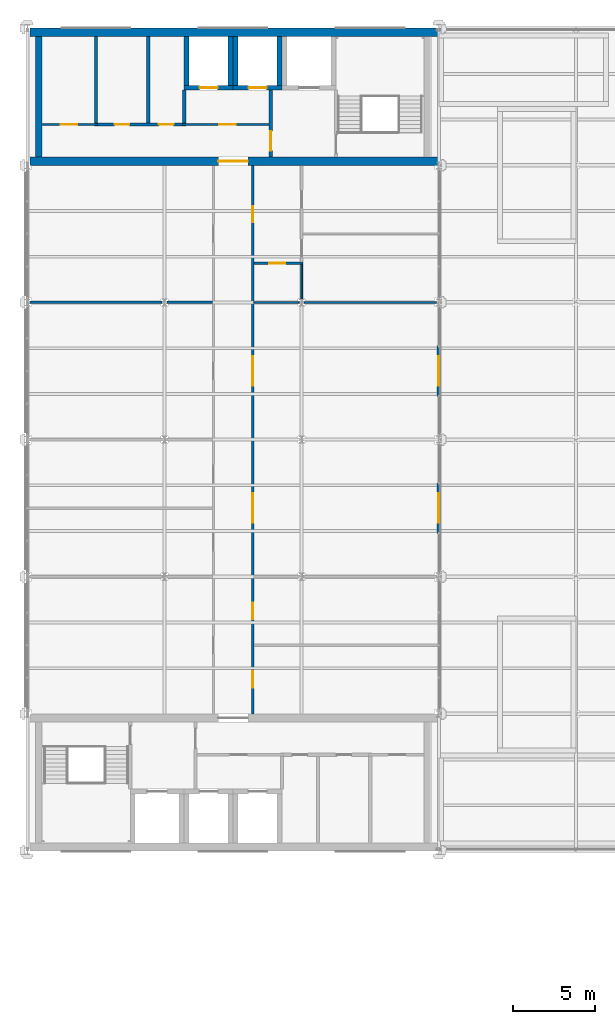
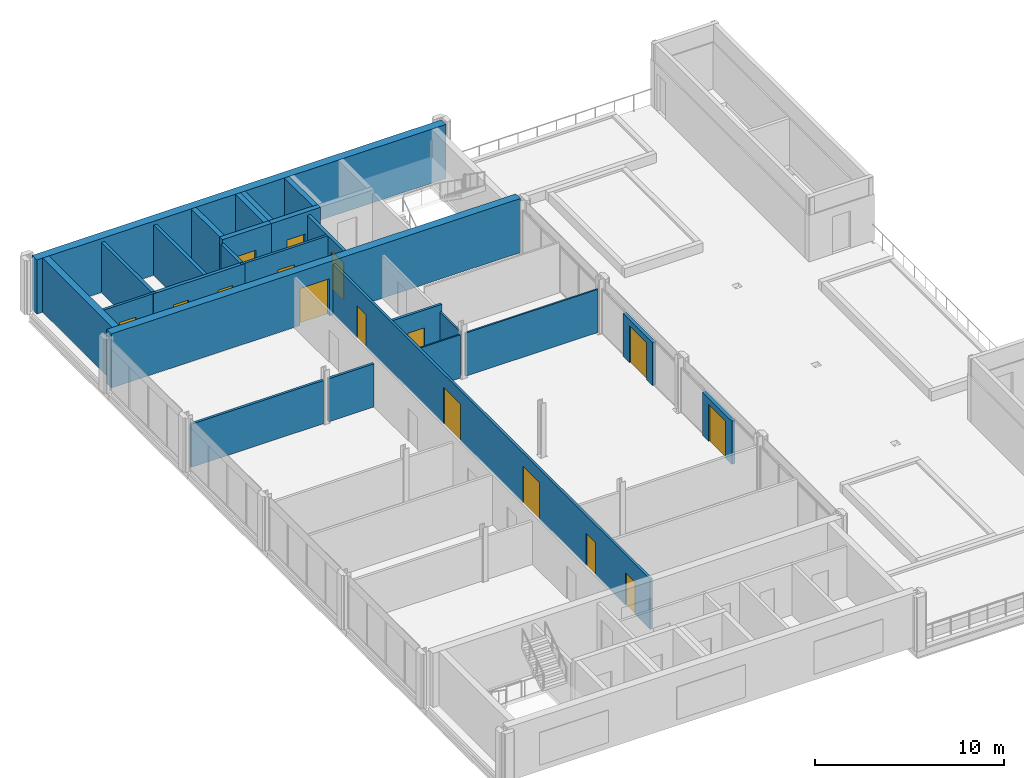
# One storey, part 25 of 32: 25 walls, 16 doors, 16 openings.
"""IFC4 building model written with IfcOpenShell, lengths in metres."""

from ifc_helpers import new_model, si_unit, direction, frame, frame_2d, origin, place, context, subcontext, project, spatial, rectangle, extrude, material, layer, layer_set, type_object, element, fill, save


model = new_model("IFC4")

# Units and contexts
model_context = context("Model", 3, precision=1e-05, world=origin(), true_north=direction((0.0, 1.0)))
body_context = subcontext(model_context, "Body", "Model", "MODEL_VIEW")
ifc_project = project(units=[si_unit("LENGTHUNIT", "METRE"), si_unit("AREAUNIT", "SQUARE_METRE"), si_unit("VOLUMEUNIT", "CUBIC_METRE"), si_unit("PLANEANGLEUNIT", "RADIAN"), si_unit("MASSUNIT", "GRAM", prefix="KILO")], contexts=[model_context])

# Site, building, storey
site_placement = place(None, origin())
site = spatial("IfcSite", under=ifc_project, at=site_placement, CompositionType="ELEMENT")
building_placement = place(site_placement, origin())
building = spatial("IfcBuilding", under=site, at=building_placement, Name="Catenary Quay Ferry Terminal", CompositionType="ELEMENT")
storey_placement = place(building_placement, frame((0.0, 0.0, 17.10009765625)))
storey = spatial("IfcBuildingStorey", under=building, at=storey_placement, Name="L03", CompositionType="ELEMENT", Elevation=17.10009765625)

# Wall
ifc_material_1 = material(Name="Concrete C50/60", Category="concrete")
ifc_layer_1 = layer(ifc_material_1, 0.39990234375)
ifc_layer_set_1 = layer_set([ifc_layer_1], Name="Core wall 400")
wall_type_1 = type_object("IfcWallType", Name="Core wall 400", PredefinedType="SHEAR", material=ifc_layer_set_1)
wall_1_placement = place(storey_placement, frame((25.89990234375, 202.10009765625, 0.0), z_axis=(0.0, 0.0, 1.0), x_axis=(0.0, 1.0, 0.0)))
element("IfcWall", 1, at=wall_1_placement, inside=storey, type_object=wall_type_1, Name="Core wall N3", PredefinedType="SHEAR", context=body_context, shape_type="SweptSolid", body=[
    extrude(rectangle(XDim=7.39990234375, YDim=0.39990234375, at=frame_2d((3.699951171875, 0.0))), origin(), (0.0, 0.0, 1.0), 3.5),
])

# Wall, opening, door
ifc_material_2 = material(Name="Concrete C50/60", Category="concrete")
ifc_layer_2 = layer(ifc_material_2, 0.5)
ifc_layer_set_2 = layer_set([ifc_layer_2], Name="Core wall 500")
wall_type_2 = type_object("IfcWallType", Name="Core wall 500", PredefinedType="SHEAR", material=ifc_layer_set_2)
wall_2_placement = place(storey_placement, frame((25.35009765625, 201.85009765625, 0.0), z_axis=(0.0, 0.0, 1.0), x_axis=(1.0, 0.0, 0.0)))
wall_2 = element("IfcWall", 2, at=wall_2_placement, inside=storey, type_object=wall_type_2, Name="Core wall N1", PredefinedType="SHEAR", context=body_context, shape_type="SweptSolid", body=[
    extrude(rectangle(XDim=25.04296875, YDim=0.5, at=frame_2d((12.521484375, 0.0))), origin(), (0.0, 0.0, 1.0), 3.5),
])
opening_1_placement = place(wall_2_placement, frame((11.550048828125, 0.0, 0.0)))
opening_1 = element("IfcOpeningElement", 3, at=opening_1_placement, cuts=wall_2, Name="Opening D203", PredefinedType="OPENING", context=body_context, shape_type="SweptSolid", body=[
    extrude(rectangle(XDim=1.800048828125, YDim=2.39990234375, at=frame_2d((0.89990234375, 1.199951171875))), frame((0.0, 0.260009765625, 0.0), z_axis=(0.0, -1.0, 0.0), x_axis=(1.0, 0.0, 0.0)), (0.0, 0.0, 1.0), 0.52001953125),
])
ifc_material_3 = material(Name="Steel and glass", Category="steel")
door_type_1 = type_object("IfcDoorType", Name="DI3", OperationType="DOUBLE_DOOR_SINGLE_SWING", PredefinedType="DOOR", material=ifc_material_3)
door_1_placement = place(opening_1_placement, origin())
door_1 = element("IfcDoor", 4, at=door_1_placement, inside=storey, type_object=door_type_1, Name="Operations Corridor to Core Corridor N", OperationType="DOUBLE_DOOR_SINGLE_SWING", OverallHeight=2.39990234375, OverallWidth=1.800048828125, PredefinedType="DOOR", context=body_context, shape_type="SweptSolid", body=[
    extrude(rectangle(XDim=1.800048828125, YDim=2.39990234375, at=frame_2d((0.89990234375, 1.199951171875))), frame((0.0, 0.02490234375, 0.0), z_axis=(0.0, -1.0, 0.0), x_axis=(1.0, 0.0, 0.0)), (0.0, 0.0, 1.0), 0.050048828125),
])
fill(opening_1, door_1)

# Wall
wall_3_placement = place(storey_placement, frame((25.35009765625, 209.75, 0.0), z_axis=(0.0, 0.0, 1.0), x_axis=(1.0, 0.0, 0.0)))
element("IfcWall", 5, at=wall_3_placement, inside=storey, type_object=wall_type_2, Name="Core wall N2", PredefinedType="SHEAR", context=body_context, shape_type="SweptSolid", body=[
    extrude(rectangle(XDim=25.04296875, YDim=0.5, at=frame_2d((12.521484375, 0.0))), origin(), (0.0, 0.0, 1.0), 3.5),
])

# Wall, opening, door
ifc_material_4 = material(Name="Masonry and insulation", Category="masonry")
ifc_layer_3 = layer(ifc_material_4, 0.199951171875)
ifc_layer_set_3 = layer_set([ifc_layer_3], Name="EW6")
wall_type_3 = type_object("IfcWallType", Name="EW6", PredefinedType="SOLIDWALL", material=ifc_layer_set_3)
wall_4_placement = place(storey_placement, frame((50.39990234375, 179.044921875, 0.0), z_axis=(0.0, 0.0, 1.0), x_axis=(0.0, 1.0, 0.0)))
wall_4 = element("IfcWall", 6, at=wall_4_placement, inside=storey, type_object=wall_type_3, Name="Front wing wall WL67", PredefinedType="SOLIDWALL", context=body_context, shape_type="SweptSolid", body=[
    extrude(rectangle(XDim=3.110107421875, YDim=0.199951171875, at=frame_2d((1.55517578125, 0.0))), origin(), (0.0, 0.0, 1.0), 2.796142578125),
])
opening_2_placement = place(wall_4_placement, frame((0.655029296875, 0.0, 0.0)))
opening_2 = element("IfcOpeningElement", 7, at=opening_2_placement, cuts=wall_4, Name="Opening D25", PredefinedType="OPENING", context=body_context, shape_type="SweptSolid", body=[
    extrude(rectangle(XDim=1.800048828125, YDim=2.39990234375, at=frame_2d((0.89990234375, 1.199951171875))), frame((0.0, 0.10986328125, 0.0), z_axis=(0.0, -1.0, 0.0), x_axis=(1.0, 0.0, 0.0)), (0.0, 0.0, 1.0), 0.219970703125),
])
ifc_material_5 = material(Name="Aluminium and glass", Category="aluminium")
door_type_2 = type_object("IfcDoorType", Name="DXR1800", OperationType="DOUBLE_DOOR_SINGLE_SWING", PredefinedType="DOOR", material=ifc_material_5)
door_2_placement = place(opening_2_placement, frame((1.800048828125, 0.0, 0.0), z_axis=(0.0, 0.0, 1.0), x_axis=(-1.0, 0.0, 0.0)))
door_2 = element("IfcDoor", 8, at=door_2_placement, inside=storey, type_object=door_type_2, Name="Front wing door D25", OperationType="DOUBLE_DOOR_SINGLE_SWING", OverallHeight=2.39990234375, OverallWidth=1.800048828125, PredefinedType="DOOR", context=body_context, shape_type="SweptSolid", body=[
    extrude(rectangle(XDim=1.800048828125, YDim=2.39990234375, at=frame_2d((0.89990234375, 1.199951171875))), frame((0.0, 0.02490234375, 0.0), z_axis=(0.0, -1.0, 0.0), x_axis=(1.0, 0.0, 0.0)), (0.0, 0.0, 1.0), 0.050048828125),
])
fill(opening_2, door_2)

wall_5_placement = place(storey_placement, frame((50.39990234375, 187.445068359375, 0.0), z_axis=(0.0, 0.0, 1.0), x_axis=(0.0, 1.0, 0.0)))
wall_5 = element("IfcWall", 9, at=wall_5_placement, inside=storey, type_object=wall_type_3, Name="Front wing wall WL68", PredefinedType="SOLIDWALL", context=body_context, shape_type="SweptSolid", body=[
    extrude(rectangle(XDim=3.10986328125, YDim=0.199951171875, at=frame_2d((1.554931640625, 0.0))), origin(), (0.0, 0.0, 1.0), 2.796142578125),
])
opening_3_placement = place(wall_5_placement, frame((0.655029296875, 0.0, 0.0)))
opening_3 = element("IfcOpeningElement", 10, at=opening_3_placement, cuts=wall_5, Name="Opening D26", PredefinedType="OPENING", context=body_context, shape_type="SweptSolid", body=[
    extrude(rectangle(XDim=1.800048828125, YDim=2.39990234375, at=frame_2d((0.89990234375, 1.199951171875))), frame((0.0, 0.10986328125, 0.0), z_axis=(0.0, -1.0, 0.0), x_axis=(1.0, 0.0, 0.0)), (0.0, 0.0, 1.0), 0.219970703125),
])
door_3_placement = place(opening_3_placement, frame((1.800048828125, 0.0, 0.0), z_axis=(0.0, 0.0, 1.0), x_axis=(-1.0, 0.0, 0.0)))
door_3 = element("IfcDoor", 11, at=door_3_placement, inside=storey, type_object=door_type_2, Name="Front wing door D26", OperationType="DOUBLE_DOOR_SINGLE_SWING", OverallHeight=2.39990234375, OverallWidth=1.800048828125, PredefinedType="DOOR", context=body_context, shape_type="SweptSolid", body=[
    extrude(rectangle(XDim=1.800048828125, YDim=2.39990234375, at=frame_2d((0.89990234375, 1.199951171875))), frame((0.0, 0.02490234375, 0.0), z_axis=(0.0, -1.0, 0.0), x_axis=(1.0, 0.0, 0.0)), (0.0, 0.0, 1.0), 0.050048828125),
])
fill(opening_3, door_3)

ifc_material_6 = material(Name="Plasterboard on steel studs", Category="steel")
ifc_layer_4 = layer(ifc_material_6, 0.14990234375)
ifc_layer_set_4 = layer_set([ifc_layer_4], Name="IP3")
wall_type_4 = type_object("IfcWallType", Name="IP3", PredefinedType="PARTITIONING", material=ifc_layer_set_4)
wall_6_placement = place(storey_placement, frame((39.074951171875, 195.60009765625, 0.0), z_axis=(0.0, 0.0, 1.0), x_axis=(1.0, 0.0, 0.0)))
wall_6 = element("IfcWall", 12, at=wall_6_placement, inside=storey, type_object=wall_type_4, Name="Partition L03 16", PredefinedType="PARTITIONING", context=body_context, shape_type="SweptSolid", body=[
    extrude(rectangle(XDim=3.0, YDim=0.14990234375, at=frame_2d((1.5, 0.0))), origin(), (0.0, 0.0, 1.0), 3.25),
])
opening_4_placement = place(wall_6_placement, frame((0.925048828125, 0.0, 0.0)))
opening_4 = element("IfcOpeningElement", 13, at=opening_4_placement, cuts=wall_6, Name="Opening D213", PredefinedType="OPENING", context=body_context, shape_type="SweptSolid", body=[
    extrude(rectangle(XDim=1.0, YDim=2.10009765625, at=frame_2d((0.5, 1.050048828125))), frame((0.0, 0.0849609375, 0.0), z_axis=(0.0, -1.0, 0.0), x_axis=(1.0, 0.0, 0.0)), (0.0, 0.0, 1.0), 0.169921875),
])
ifc_material_7 = material(Name="Timber", Category="wood")
door_type_3 = type_object("IfcDoorType", Name="DI8", OperationType="SINGLE_SWING_LEFT", PredefinedType="DOOR", material=ifc_material_7)
door_4_placement = place(opening_4_placement, frame((1.0, 0.0, 0.0), z_axis=(0.0, 0.0, 1.0), x_axis=(-1.0, 0.0, 0.0)))
door_4 = element("IfcDoor", 14, at=door_4_placement, inside=storey, type_object=door_type_3, Name="Staff Accessible WC L03 to Staff WC Lobby L03", OperationType="SINGLE_SWING_RIGHT", OverallHeight=2.10009765625, OverallWidth=1.0, PredefinedType="DOOR", context=body_context, shape_type="SweptSolid", body=[
    extrude(rectangle(XDim=1.0, YDim=2.10009765625, at=frame_2d((0.5, 1.050048828125))), frame((0.0, 0.02490234375, 0.0), z_axis=(0.0, -1.0, 0.0), x_axis=(1.0, 0.0, 0.0)), (0.0, 0.0, 1.0), 0.050048828125),
])
fill(opening_4, door_4)

wall_7_placement = place(storey_placement, frame((26.10009765625, 204.10009765625, 0.0), z_axis=(0.0, 0.0, 1.0), x_axis=(1.0, 0.0, 0.0)))
wall_7 = element("IfcWall", 15, at=wall_7_placement, inside=storey, type_object=wall_type_4, Name="Partition L03 19", PredefinedType="PARTITIONING", context=body_context, shape_type="SweptSolid", body=[
    extrude(rectangle(XDim=3.39990234375, YDim=0.14990234375, at=frame_2d((1.699951171875, 0.0))), origin(), (0.0, 0.0, 1.0), 3.25),
])
opening_5_placement = place(wall_7_placement, frame((1.14990234375, 0.0, 0.0)))
opening_5 = element("IfcOpeningElement", 16, at=opening_5_placement, cuts=wall_7, Name="Opening D199", PredefinedType="OPENING", context=body_context, shape_type="SweptSolid", body=[
    extrude(rectangle(XDim=1.0, YDim=2.10009765625, at=frame_2d((0.5, 1.050048828125))), frame((0.0, 0.0849609375, 0.0), z_axis=(0.0, -1.0, 0.0), x_axis=(1.0, 0.0, 0.0)), (0.0, 0.0, 1.0), 0.169921875),
])
door_5_placement = place(opening_5_placement, origin())
door_5 = element("IfcDoor", 17, at=door_5_placement, inside=storey, type_object=door_type_3, Name="Accessible WC N to Core Corridor N", OperationType="SINGLE_SWING_LEFT", OverallHeight=2.10009765625, OverallWidth=1.0, PredefinedType="DOOR", context=body_context, shape_type="SweptSolid", body=[
    extrude(rectangle(XDim=1.0, YDim=2.10009765625, at=frame_2d((0.5, 1.050048828125))), frame((0.0, 0.02490234375, 0.0), z_axis=(0.0, -1.0, 0.0), x_axis=(1.0, 0.0, 0.0)), (0.0, 0.0, 1.0), 0.050048828125),
])
fill(opening_5, door_5)

wall_8_placement = place(storey_placement, frame((34.699951171875, 204.10009765625, 0.0), z_axis=(0.0, 0.0, 1.0), x_axis=(1.0, 0.0, 0.0)))
wall_8 = element("IfcWall", 18, at=wall_8_placement, inside=storey, type_object=wall_type_4, Name="Partition L03 21", PredefinedType="PARTITIONING", context=body_context, shape_type="SweptSolid", body=[
    extrude(rectangle(XDim=5.300048828125, YDim=0.14990234375, at=frame_2d((2.64990234375, 0.0))), origin(), (0.0, 0.0, 1.0), 3.25),
])
opening_6_placement = place(wall_8_placement, frame((2.25, 0.0, 0.0)))
opening_6 = element("IfcOpeningElement", 19, at=opening_6_placement, cuts=wall_8, Name="Opening D191", PredefinedType="OPENING", context=body_context, shape_type="SweptSolid", body=[
    extrude(rectangle(XDim=1.0, YDim=2.10009765625, at=frame_2d((0.5, 1.050048828125))), frame((0.0, 0.0849609375, 0.0), z_axis=(0.0, -1.0, 0.0), x_axis=(1.0, 0.0, 0.0)), (0.0, 0.0, 1.0), 0.169921875),
])
ifc_material_8 = material(Name="Steel", Category="steel")
door_type_4 = type_object("IfcDoorType", Name="DI12", OperationType="SINGLE_SWING_LEFT", PredefinedType="DOOR", material=ifc_material_8)
door_6_placement = place(opening_6_placement, origin())
door_6 = element("IfcDoor", 20, at=door_6_placement, inside=storey, type_object=door_type_4, Name="Passenger Lift Lobby N to Core Corridor N", OperationType="SINGLE_SWING_LEFT", OverallHeight=2.10009765625, OverallWidth=1.0, PredefinedType="DOOR", context=body_context, shape_type="SweptSolid", body=[
    extrude(rectangle(XDim=1.0, YDim=2.10009765625, at=frame_2d((0.5, 1.050048828125))), frame((0.0, 0.02490234375, 0.0), z_axis=(0.0, -1.0, 0.0), x_axis=(1.0, 0.0, 0.0)), (0.0, 0.0, 1.0), 0.050048828125),
])
fill(opening_6, door_6)

# Wall, openings, doors
wall_9_placement = place(storey_placement, frame((39.0, 168.0, 0.0), z_axis=(0.0, 0.0, 1.0), x_axis=(0.0, 1.0, 0.0)))
wall_9 = element("IfcWall", 21, at=wall_9_placement, inside=storey, type_object=wall_type_4, Name="Partition L03 28", PredefinedType="PARTITIONING", context=body_context, shape_type="SweptSolid", body=[
    extrude(rectangle(XDim=33.60009765625, YDim=0.14990234375, at=frame_2d((16.800048828125, 0.0))), origin(), (0.0, 0.0, 1.0), 3.25),
])
opening_7_placement = place(wall_9_placement, frame((1.60009765625, 0.0, 0.0)))
opening_7 = element("IfcOpeningElement", 22, at=opening_7_placement, cuts=wall_9, Name="Opening D209", PredefinedType="OPENING", context=body_context, shape_type="SweptSolid", body=[
    extrude(rectangle(XDim=1.0, YDim=2.10009765625, at=frame_2d((0.5, 1.050048828125))), frame((0.0, 0.0849609375, 0.0), z_axis=(0.0, -1.0, 0.0), x_axis=(1.0, 0.0, 0.0)), (0.0, 0.0, 1.0), 0.169921875),
])
opening_8_placement = place(wall_9_placement, frame((5.800048828125, 0.0, 0.0)))
opening_8 = element("IfcOpeningElement", 23, at=opening_8_placement, cuts=wall_9, Name="Opening D210", PredefinedType="OPENING", context=body_context, shape_type="SweptSolid", body=[
    extrude(rectangle(XDim=1.0, YDim=2.10009765625, at=frame_2d((0.5, 1.050048828125))), frame((0.0, 0.0849609375, 0.0), z_axis=(0.0, -1.0, 0.0), x_axis=(1.0, 0.0, 0.0)), (0.0, 0.0, 1.0), 0.169921875),
])
opening_9_placement = place(wall_9_placement, frame((11.699951171875, 0.0, 0.0)))
opening_9 = element("IfcOpeningElement", 24, at=opening_9_placement, cuts=wall_9, Name="Opening D211", PredefinedType="OPENING", context=body_context, shape_type="SweptSolid", body=[
    extrude(rectangle(XDim=1.800048828125, YDim=2.39990234375, at=frame_2d((0.89990234375, 1.199951171875))), frame((0.0, 0.0849609375, 0.0), z_axis=(0.0, -1.0, 0.0), x_axis=(1.0, 0.0, 0.0)), (0.0, 0.0, 1.0), 0.169921875),
])
opening_10_placement = place(wall_9_placement, frame((20.10009765625, 0.0, 0.0)))
opening_10 = element("IfcOpeningElement", 25, at=opening_10_placement, cuts=wall_9, Name="Opening D212", PredefinedType="OPENING", context=body_context, shape_type="SweptSolid", body=[
    extrude(rectangle(XDim=1.800048828125, YDim=2.39990234375, at=frame_2d((0.89990234375, 1.199951171875))), frame((0.0, 0.0849609375, 0.0), z_axis=(0.0, -1.0, 0.0), x_axis=(1.0, 0.0, 0.0)), (0.0, 0.0, 1.0), 0.169921875),
])
opening_11_placement = place(wall_9_placement, frame((30.10009765625, 0.0, 0.0)))
opening_11 = element("IfcOpeningElement", 26, at=opening_11_placement, cuts=wall_9, Name="Opening D216", PredefinedType="OPENING", context=body_context, shape_type="SweptSolid", body=[
    extrude(rectangle(XDim=1.0, YDim=2.10009765625, at=frame_2d((0.5, 1.050048828125))), frame((0.0, 0.0849609375, 0.0), z_axis=(0.0, -1.0, 0.0), x_axis=(1.0, 0.0, 0.0)), (0.0, 0.0, 1.0), 0.169921875),
])
door_7_placement = place(opening_11_placement, frame((1.0, 0.0, 0.0), z_axis=(0.0, 0.0, 1.0), x_axis=(-1.0, 0.0, 0.0)))
door_7 = element("IfcDoor", 27, at=door_7_placement, inside=storey, type_object=door_type_4, Name="Staff WC Lobby L03 to Operations Corridor", OperationType="SINGLE_SWING_RIGHT", OverallHeight=2.10009765625, OverallWidth=1.0, PredefinedType="DOOR", context=body_context, shape_type="SweptSolid", body=[
    extrude(rectangle(XDim=1.0, YDim=2.10009765625, at=frame_2d((0.5, 1.050048828125))), frame((0.0, 0.02490234375, 0.0), z_axis=(0.0, -1.0, 0.0), x_axis=(1.0, 0.0, 0.0)), (0.0, 0.0, 1.0), 0.050048828125),
])
fill(opening_11, door_7)
ifc_material_9 = material(Name="Aluminium and glass", Category="aluminium")
door_type_5 = type_object("IfcDoorType", Name="DI6", OperationType="DOUBLE_DOOR_SINGLE_SWING", PredefinedType="DOOR", material=ifc_material_9)
door_8_placement = place(opening_9_placement, origin())
door_8 = element("IfcDoor", 28, at=door_8_placement, inside=storey, type_object=door_type_5, Name="Training Hall to Operations Corridor", OperationType="DOUBLE_DOOR_SINGLE_SWING", OverallHeight=2.39990234375, OverallWidth=1.800048828125, PredefinedType="DOOR", context=body_context, shape_type="SweptSolid", body=[
    extrude(rectangle(XDim=1.800048828125, YDim=2.39990234375, at=frame_2d((0.89990234375, 1.199951171875))), frame((0.0, 0.02490234375, 0.0), z_axis=(0.0, -1.0, 0.0), x_axis=(1.0, 0.0, 0.0)), (0.0, 0.0, 1.0), 0.050048828125),
])
fill(opening_9, door_8)
door_9_placement = place(opening_10_placement, origin())
door_9 = element("IfcDoor", 29, at=door_9_placement, inside=storey, type_object=door_type_5, Name="Training Hall to Operations Corridor", OperationType="DOUBLE_DOOR_SINGLE_SWING", OverallHeight=2.39990234375, OverallWidth=1.800048828125, PredefinedType="DOOR", context=body_context, shape_type="SweptSolid", body=[
    extrude(rectangle(XDim=1.800048828125, YDim=2.39990234375, at=frame_2d((0.89990234375, 1.199951171875))), frame((0.0, 0.02490234375, 0.0), z_axis=(0.0, -1.0, 0.0), x_axis=(1.0, 0.0, 0.0)), (0.0, 0.0, 1.0), 0.050048828125),
])
fill(opening_10, door_9)
ifc_material_10 = material(Name="Timber", Category="wood")
door_type_6 = type_object("IfcDoorType", Name="DI7", OperationType="SINGLE_SWING_LEFT", PredefinedType="DOOR", material=ifc_material_10)
door_10_placement = place(opening_7_placement, frame((1.0, 0.0, 0.0), z_axis=(0.0, 0.0, 1.0), x_axis=(-1.0, 0.0, 0.0)))
door_10 = element("IfcDoor", 30, at=door_10_placement, inside=storey, type_object=door_type_6, Name="Seminar Room 1 to Operations Corridor", OperationType="SINGLE_SWING_RIGHT", OverallHeight=2.10009765625, OverallWidth=1.0, PredefinedType="DOOR", context=body_context, shape_type="SweptSolid", body=[
    extrude(rectangle(XDim=1.0, YDim=2.10009765625, at=frame_2d((0.5, 1.050048828125))), frame((0.0, 0.02490234375, 0.0), z_axis=(0.0, -1.0, 0.0), x_axis=(1.0, 0.0, 0.0)), (0.0, 0.0, 1.0), 0.050048828125),
])
fill(opening_7, door_10)
door_11_placement = place(opening_8_placement, frame((1.0, 0.0, 0.0), z_axis=(0.0, 0.0, 1.0), x_axis=(-1.0, 0.0, 0.0)))
door_11 = element("IfcDoor", 31, at=door_11_placement, inside=storey, type_object=door_type_6, Name="Seminar Room 2 to Operations Corridor", OperationType="SINGLE_SWING_RIGHT", OverallHeight=2.10009765625, OverallWidth=1.0, PredefinedType="DOOR", context=body_context, shape_type="SweptSolid", body=[
    extrude(rectangle(XDim=1.0, YDim=2.10009765625, at=frame_2d((0.5, 1.050048828125))), frame((0.0, 0.02490234375, 0.0), z_axis=(0.0, -1.0, 0.0), x_axis=(1.0, 0.0, 0.0)), (0.0, 0.0, 1.0), 0.050048828125),
])
fill(opening_8, door_11)

# Wall, opening, door
ifc_material_11 = material(Name="Blockwork and plaster", Category="masonry")
ifc_layer_5 = layer(ifc_material_11, 0.199951171875)
ifc_layer_set_5 = layer_set([ifc_layer_5], Name="IP4")
wall_type_5 = type_object("IfcWallType", Name="IP4", PredefinedType="PARTITIONING", material=ifc_layer_set_5)
wall_10_placement = place(storey_placement, frame((40.10009765625, 202.10009765625, 0.0), z_axis=(0.0, 0.0, 1.0), x_axis=(0.0, 1.0, 0.0)))
wall_10 = element("IfcWall", 32, at=wall_10_placement, inside=storey, type_object=wall_type_5, Name="Partition L03 29", PredefinedType="PARTITIONING", context=body_context, shape_type="SweptSolid", body=[
    extrude(rectangle(XDim=4.099853515625, YDim=0.199951171875, at=frame_2d((2.0498046875, 0.0))), origin(), (0.0, 0.0, 1.0), 3.25),
])
opening_12_placement = place(wall_10_placement, frame((0.39990234375, 0.0, 0.0)))
opening_12 = element("IfcOpeningElement", 33, at=opening_12_placement, cuts=wall_10, Name="Opening D193", PredefinedType="OPENING", context=body_context, shape_type="SweptSolid", body=[
    extrude(rectangle(XDim=1.199951171875, YDim=2.39990234375, at=frame_2d((0.60009765625, 1.199951171875))), frame((0.0, 0.10986328125, 0.0), z_axis=(0.0, -1.0, 0.0), x_axis=(1.0, 0.0, 0.0)), (0.0, 0.0, 1.0), 0.219970703125),
])
ifc_material_12 = material(Name="Steel and glass", Category="steel")
door_type_7 = type_object("IfcDoorType", Name="DI10", OperationType="SINGLE_SWING_LEFT", PredefinedType="DOOR", material=ifc_material_12)
door_12_placement = place(opening_12_placement, frame((1.199951171875, 0.0, 0.0), z_axis=(0.0, 0.0, 1.0), x_axis=(-1.0, 0.0, 0.0)))
door_12 = element("IfcDoor", 34, at=door_12_placement, inside=storey, type_object=door_type_7, Name="Fire-fighting Lobby N to Core Corridor N", OperationType="SINGLE_SWING_RIGHT", OverallHeight=2.39990234375, OverallWidth=1.199951171875, PredefinedType="DOOR", context=body_context, shape_type="SweptSolid", body=[
    extrude(rectangle(XDim=1.199951171875, YDim=2.39990234375, at=frame_2d((0.60009765625, 1.199951171875))), frame((0.0, 0.02490234375, 0.0), z_axis=(0.0, -1.0, 0.0), x_axis=(1.0, 0.0, 0.0)), (0.0, 0.0, 1.0), 0.050048828125),
])
fill(opening_12, door_12)

# Wall, openings, doors
ifc_material_13 = material(Name="Blockwork and plaster", Category="masonry")
ifc_layer_6 = layer(ifc_material_13, 0.199951171875)
ifc_layer_set_6 = layer_set([ifc_layer_6], Name="IP6")
wall_type_6 = type_object("IfcWallType", Name="IP6", PredefinedType="PARTITIONING", material=ifc_layer_set_6)
wall_11_placement = place(storey_placement, frame((29.300048828125, 204.10009765625, 0.0), z_axis=(0.0, 0.0, 1.0), x_axis=(1.0, 0.0, 0.0)))
wall_11 = element("IfcWall", 35, at=wall_11_placement, inside=storey, type_object=wall_type_6, Name="Partition L03 20", PredefinedType="PARTITIONING", context=body_context, shape_type="SweptSolid", body=[
    extrude(rectangle(XDim=5.599853515625, YDim=0.199951171875, at=frame_2d((2.7998046875, 0.0))), origin(), (0.0, 0.0, 1.0), 3.25),
])
opening_13_placement = place(wall_11_placement, frame((3.949951171875, 0.0, 0.0)))
opening_13 = element("IfcOpeningElement", 36, at=opening_13_placement, cuts=wall_11, Name="Opening D195", PredefinedType="OPENING", context=body_context, shape_type="SweptSolid", body=[
    extrude(rectangle(XDim=0.89990234375, YDim=2.10009765625, at=frame_2d((0.449951171875, 1.050048828125))), frame((0.0, 0.10986328125, 0.0), z_axis=(0.0, -1.0, 0.0), x_axis=(1.0, 0.0, 0.0)), (0.0, 0.0, 1.0), 0.219970703125),
])
opening_14_placement = place(wall_11_placement, frame((1.25, 0.0, 0.0)))
opening_14 = element("IfcOpeningElement", 37, at=opening_14_placement, cuts=wall_11, Name="Opening D197", PredefinedType="OPENING", context=body_context, shape_type="SweptSolid", body=[
    extrude(rectangle(XDim=0.89990234375, YDim=2.10009765625, at=frame_2d((0.449951171875, 1.050048828125))), frame((0.0, 0.10986328125, 0.0), z_axis=(0.0, -1.0, 0.0), x_axis=(1.0, 0.0, 0.0)), (0.0, 0.0, 1.0), 0.219970703125),
])
ifc_material_14 = material(Name="Steel", Category="steel")
door_type_8 = type_object("IfcDoorType", Name="DI9", OperationType="SINGLE_SWING_LEFT", PredefinedType="DOOR", material=ifc_material_14)
door_13_placement = place(opening_13_placement, origin())
door_13 = element("IfcDoor", 38, at=door_13_placement, inside=storey, type_object=door_type_8, Name="Riser Shaft N to Core Corridor N", OperationType="SINGLE_SWING_LEFT", OverallHeight=2.10009765625, OverallWidth=0.89990234375, PredefinedType="DOOR", context=body_context, shape_type="SweptSolid", body=[
    extrude(rectangle(XDim=0.89990234375, YDim=2.10009765625, at=frame_2d((0.449951171875, 1.050048828125))), frame((0.0, 0.02490234375, 0.0), z_axis=(0.0, -1.0, 0.0), x_axis=(1.0, 0.0, 0.0)), (0.0, 0.0, 1.0), 0.050048828125),
])
fill(opening_13, door_13)
door_14_placement = place(opening_14_placement, origin())
door_14 = element("IfcDoor", 39, at=door_14_placement, inside=storey, type_object=door_type_8, Name="Cleaners Store N to Core Corridor N", OperationType="SINGLE_SWING_LEFT", OverallHeight=2.10009765625, OverallWidth=0.89990234375, PredefinedType="DOOR", context=body_context, shape_type="SweptSolid", body=[
    extrude(rectangle(XDim=0.89990234375, YDim=2.10009765625, at=frame_2d((0.449951171875, 1.050048828125))), frame((0.0, 0.02490234375, 0.0), z_axis=(0.0, -1.0, 0.0), x_axis=(1.0, 0.0, 0.0)), (0.0, 0.0, 1.0), 0.050048828125),
])
fill(opening_14, door_14)

# Walls
for number, where, z_axis, x_axis, name in (
    (40, (29.39990234375, 204.199951171875, 0.0), (0.0, 0.0, 1.0), (0.0, 1.0, 0.0), "Partition L03 22"),
    (41, (32.60009765625, 204.199951171875, 0.0), (0.0, 0.0, 1.0), (0.0, 1.0, 0.0), "Partition L03 24"),
):
    element("IfcWall", number, at=place(storey_placement, frame(where, z_axis=z_axis, x_axis=x_axis)), inside=storey, type_object=wall_type_6, Name=name, PredefinedType="PARTITIONING", context=body_context, shape_type="SweptSolid", body=[
        extrude(rectangle(XDim=5.300048828125, YDim=0.199951171875, at=frame_2d((2.64990234375, 0.0))), origin(), (0.0, 0.0, 1.0), 3.25),
    ])
wall_12_placement = place(storey_placement, frame((34.800048828125, 204.199951171875, 0.0), z_axis=(0.0, 0.0, 1.0), x_axis=(0.0, 1.0, 0.0)))
element("IfcWall", 42, at=wall_12_placement, inside=storey, type_object=wall_type_6, Name="Partition L03 25", PredefinedType="PARTITIONING", context=body_context, shape_type="SweptSolid", body=[
    extrude(rectangle(XDim=2.0, YDim=0.199951171875, at=frame_2d((1.0, 0.0))), origin(), (0.0, 0.0, 1.0), 3.25),
])
ifc_material_15 = material(Name="Plasterboard on steel studs", Category="steel")
ifc_layer_7 = layer(ifc_material_15, 0.14990234375)
ifc_layer_set_7 = layer_set([ifc_layer_7], Name="IP7")
wall_type_7 = type_object("IfcWallType", Name="IP7", PredefinedType="PARTITIONING", material=ifc_layer_set_7)
wall_13_placement = place(storey_placement, frame((25.35009765625, 193.199951171875, 0.0), z_axis=(0.0, 0.0, 1.0), x_axis=(1.0, 0.0, 0.0)))
element("IfcWall", 43, at=wall_13_placement, inside=storey, type_object=wall_type_7, Name="Partition L03 12", PredefinedType="PARTITIONING", context=body_context, shape_type="SweptSolid", body=[
    extrude(rectangle(XDim=8.099853515625, YDim=0.14990234375, at=frame_2d((4.0498046875, 0.0))), origin(), (0.0, 0.0, 1.0), 2.796142578125),
])
wall_14_placement = place(storey_placement, frame((33.75, 193.199951171875, 0.0), z_axis=(0.0, 0.0, 1.0), x_axis=(1.0, 0.0, 0.0)))
element("IfcWall", 44, at=wall_14_placement, inside=storey, type_object=wall_type_7, Name="Partition L03 13", PredefinedType="PARTITIONING", context=body_context, shape_type="SweptSolid", body=[
    extrude(rectangle(XDim=2.77490234375, YDim=0.14990234375, at=frame_2d((1.387451171875, 0.0))), origin(), (0.0, 0.0, 1.0), 2.796142578125),
])
ifc_material_16 = material(Name="Plasterboard on steel studs", Category="steel")
ifc_layer_8 = layer(ifc_material_16, 0.10009765625)
ifc_layer_set_8 = layer_set([ifc_layer_8], Name="IP8")
wall_type_8 = type_object("IfcWallType", Name="IP8", PredefinedType="PARTITIONING", material=ifc_layer_set_8)
wall_15_placement = place(storey_placement, frame((39.074951171875, 193.199951171875, 0.0), z_axis=(0.0, 0.0, 1.0), x_axis=(1.0, 0.0, 0.0)))
element("IfcWall", 45, at=wall_15_placement, inside=storey, type_object=wall_type_8, Name="Partition L03 14", PredefinedType="PARTITIONING", context=body_context, shape_type="SweptSolid", body=[
    extrude(rectangle(XDim=2.775146484375, YDim=0.10009765625, at=frame_2d((1.3876953125, 0.0))), origin(), (0.0, 0.0, 1.0), 2.796142578125),
])
wall_16_placement = place(storey_placement, frame((42.14990234375, 193.199951171875, 0.0), z_axis=(0.0, 0.0, 1.0), x_axis=(1.0, 0.0, 0.0)))
element("IfcWall", 46, at=wall_16_placement, inside=storey, type_object=wall_type_8, Name="Partition L03 15", PredefinedType="PARTITIONING", context=body_context, shape_type="SweptSolid", body=[
    extrude(rectangle(XDim=8.10009765625, YDim=0.10009765625, at=frame_2d((4.050048828125, 0.0))), origin(), (0.0, 0.0, 1.0), 2.796142578125),
])
wall_17_placement = place(storey_placement, frame((42.0, 193.39990234375, 0.0), z_axis=(0.0, 0.0, 1.0), x_axis=(0.0, 1.0, 0.0)))
element("IfcWall", 47, at=wall_17_placement, inside=storey, type_object=wall_type_8, Name="Partition L03 31", PredefinedType="PARTITIONING", context=body_context, shape_type="SweptSolid", body=[
    extrude(rectangle(XDim=2.125, YDim=0.10009765625, at=frame_2d((1.0625, 0.0))), origin(), (0.0, 0.0, 1.0), 2.796142578125),
])

# Wall, opening, door
ifc_material_17 = material(Name="Concrete C50/60", Category="concrete")
ifc_layer_9 = layer(ifc_material_17, 0.300048828125)
ifc_layer_set_9 = layer_set([ifc_layer_9], Name="Shaft wall 300")
wall_type_9 = type_object("IfcWallType", Name="Shaft wall 300", PredefinedType="SHEAR", material=ifc_layer_set_9)
wall_18_placement = place(storey_placement, frame((37.800048828125, 206.35009765625, 0.0), z_axis=(0.0, 0.0, 1.0), x_axis=(1.0, 0.0, 0.0)))
wall_18 = element("IfcWall", 48, at=wall_18_placement, inside=storey, type_object=wall_type_9, Name="Shaft wall GL3 S", PredefinedType="SHEAR", context=body_context, shape_type="SweptSolid", body=[
    extrude(rectangle(XDim=3.0, YDim=0.300048828125, at=frame_2d((1.5, 0.0))), origin(), (0.0, 0.0, 1.0), 3.5),
])
opening_15_placement = place(wall_18_placement, frame((0.949951171875, 0.0, 0.0)))
opening_15 = element("IfcOpeningElement", 49, at=opening_15_placement, cuts=wall_18, Name="Opening LD28", PredefinedType="OPENING", context=body_context, shape_type="SweptSolid", body=[
    extrude(rectangle(XDim=1.10009765625, YDim=2.10009765625, at=frame_2d((0.550048828125, 1.050048828125))), frame((0.0, 0.159912109375, 0.0), z_axis=(0.0, -1.0, 0.0), x_axis=(1.0, 0.0, 0.0)), (0.0, 0.0, 1.0), 0.320068359375),
])
ifc_material_18 = material(Name="Stainless steel", Category="steel")
door_type_9 = type_object("IfcDoorType", Name="DL1", OperationType="SLIDING_TO_LEFT", PredefinedType="DOOR", material=ifc_material_18)
door_15_placement = place(opening_15_placement, origin())
door_15 = element("IfcDoor", 50, at=door_15_placement, inside=storey, type_object=door_type_9, Name="Lift GL3 landing door L03", OperationType="SLIDING_TO_LEFT", OverallHeight=2.10009765625, OverallWidth=1.10009765625, PredefinedType="DOOR", context=body_context, shape_type="SweptSolid", body=[
    extrude(rectangle(XDim=1.10009765625, YDim=2.10009765625, at=frame_2d((0.550048828125, 1.050048828125))), frame((0.0, 0.02490234375, 0.0), z_axis=(0.0, -1.0, 0.0), x_axis=(1.0, 0.0, 0.0)), (0.0, 0.0, 1.0), 0.050048828125),
])
fill(opening_15, door_15)

# Walls
for number, where, z_axis, x_axis, name in (
    (51, (40.64990234375, 206.5, 0.0), (0.0, 0.0, 1.0), (0.0, 1.0, 0.0), "Shaft wall GL3 E"),
    (52, (37.949951171875, 206.5, 0.0), (0.0, 0.0, 1.0), (0.0, 1.0, 0.0), "Shaft wall GL3 W"),
):
    element("IfcWall", number, at=place(storey_placement, frame(where, z_axis=z_axis, x_axis=x_axis)), inside=storey, type_object=wall_type_9, Name=name, PredefinedType="SHEAR", context=body_context, shape_type="SweptSolid", body=[
        extrude(rectangle(XDim=3.0, YDim=0.300048828125, at=frame_2d((1.5, 0.0))), origin(), (0.0, 0.0, 1.0), 3.5),
    ])

# Wall, opening, door
wall_19_placement = place(storey_placement, frame((34.800048828125, 206.35009765625, 0.0), z_axis=(0.0, 0.0, 1.0), x_axis=(1.0, 0.0, 0.0)))
wall_19 = element("IfcWall", 53, at=wall_19_placement, inside=storey, type_object=wall_type_9, Name="Shaft wall GL4 S", PredefinedType="SHEAR", context=body_context, shape_type="SweptSolid", body=[
    extrude(rectangle(XDim=3.0, YDim=0.300048828125, at=frame_2d((1.5, 0.0))), origin(), (0.0, 0.0, 1.0), 3.5),
])
opening_16_placement = place(wall_19_placement, frame((0.949951171875, 0.0, 0.0)))
opening_16 = element("IfcOpeningElement", 54, at=opening_16_placement, cuts=wall_19, Name="Opening LD33", PredefinedType="OPENING", context=body_context, shape_type="SweptSolid", body=[
    extrude(rectangle(XDim=1.10009765625, YDim=2.10009765625, at=frame_2d((0.550048828125, 1.050048828125))), frame((0.0, 0.159912109375, 0.0), z_axis=(0.0, -1.0, 0.0), x_axis=(1.0, 0.0, 0.0)), (0.0, 0.0, 1.0), 0.320068359375),
])
door_16_placement = place(opening_16_placement, origin())
door_16 = element("IfcDoor", 55, at=door_16_placement, inside=storey, type_object=door_type_9, Name="Lift GL4 landing door L03", OperationType="SLIDING_TO_LEFT", OverallHeight=2.10009765625, OverallWidth=1.10009765625, PredefinedType="DOOR", context=body_context, shape_type="SweptSolid", body=[
    extrude(rectangle(XDim=1.10009765625, YDim=2.10009765625, at=frame_2d((0.550048828125, 1.050048828125))), frame((0.0, 0.02490234375, 0.0), z_axis=(0.0, -1.0, 0.0), x_axis=(1.0, 0.0, 0.0)), (0.0, 0.0, 1.0), 0.050048828125),
])
fill(opening_16, door_16)

# Walls
for number, where, z_axis, x_axis, name in (
    (56, (37.64990234375, 206.5, 0.0), (0.0, 0.0, 1.0), (0.0, 1.0, 0.0), "Shaft wall GL4 E"),
    (57, (34.949951171875, 206.5, 0.0), (0.0, 0.0, 1.0), (0.0, 1.0, 0.0), "Shaft wall GL4 W"),
):
    element("IfcWall", number, at=place(storey_placement, frame(where, z_axis=z_axis, x_axis=x_axis)), inside=storey, type_object=wall_type_9, Name=name, PredefinedType="SHEAR", context=body_context, shape_type="SweptSolid", body=[
        extrude(rectangle(XDim=3.0, YDim=0.300048828125, at=frame_2d((1.5, 0.0))), origin(), (0.0, 0.0, 1.0), 3.5),
    ])

save(model, "model.ifc")
